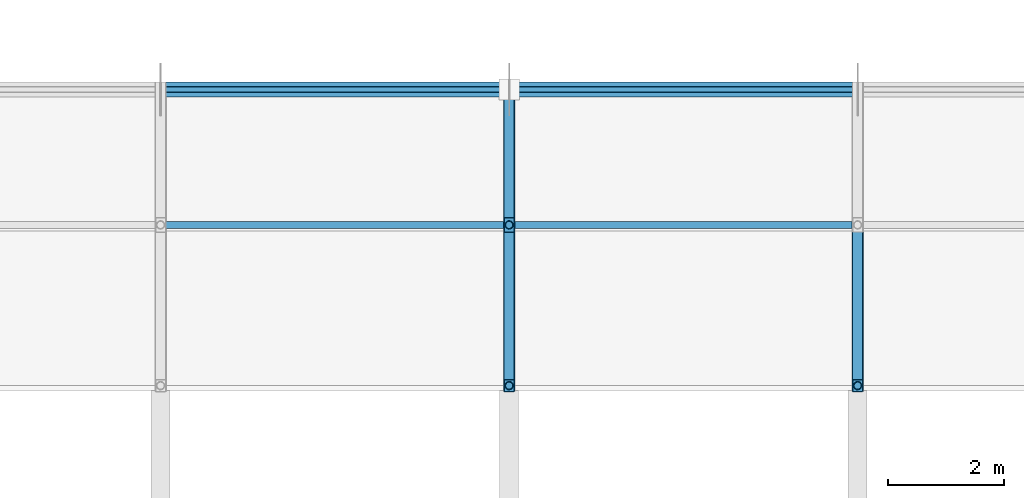
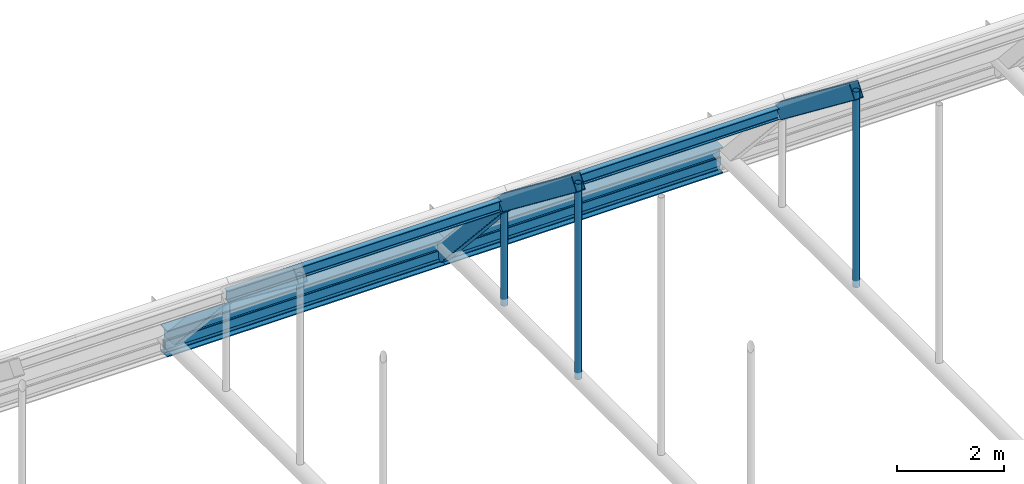
# One storey, part 59 of 116: 7 members, 5 beams.
"""IFC4 building model written with IfcOpenShell, lengths in metres."""

from ifc_helpers import new_model, si_unit, direction, frame, origin, origin_2d, place, context, subcontext, project, spatial, hollow_rectangle, hollow_circle, i_section, extrude, material, material_profile, profile_set, type_object, element, save


model = new_model("IFC4")

# Units and contexts
model_context = context("Model", 3, precision=1e-05, world=origin(), true_north=direction((0.0, 1.0)))
body_context = subcontext(model_context, "Body", "Model", "MODEL_VIEW")
ifc_project = project(units=[si_unit("LENGTHUNIT", "METRE"), si_unit("AREAUNIT", "SQUARE_METRE"), si_unit("VOLUMEUNIT", "CUBIC_METRE"), si_unit("PLANEANGLEUNIT", "RADIAN"), si_unit("MASSUNIT", "GRAM", prefix="KILO")], contexts=[model_context])

# Site, building, storey
site_placement = place(None, origin())
site = spatial("IfcSite", under=ifc_project, at=site_placement, CompositionType="ELEMENT")
building_placement = place(site_placement, origin())
building = spatial("IfcBuilding", under=site, at=building_placement, Name="Varnakota Square Police Headquarters", CompositionType="ELEMENT")
storey_placement = place(building_placement, frame((0.0, 0.0, 9.300048828125)))
storey = spatial("IfcBuildingStorey", under=building, at=storey_placement, Name="L02", CompositionType="ELEMENT", Elevation=9.300048828125)

# Beams
ifc_material = material(Name="Steel IS 2062 Grade 350", Category="steel")
ifc_material_profile_1 = material_profile(ifc_material, i_section(OverallWidth=0.25, OverallDepth=0.60009765625, WebThickness=0.01171875, FlangeThickness=0.023681640625, FilletRadius=0.01708984375, at=origin_2d()), Name="ISWB 600")
ifc_profile_set_1 = profile_set([ifc_material_profile_1], Name="Steel IS 2062 Grade 350")
beam_type_1 = type_object("IfcBeamType", Name="BM-ISWB600", PredefinedType="BEAM", material=ifc_profile_set_1)
for number, where, z_axis, x_axis, name in (
    (1, (66.0, 39.0, -0.300048828125), (1.0, 0.0, 0.0), (0.0, 1.0, 0.0), "Vault V1 north ring beam"),
    (2, (72.0, 39.0, -0.300048828125), (1.0, 0.0, 0.0), (0.0, 1.0, 0.0), "Vault V1 north ring beam"),
):
    element("IfcBeam", number, at=place(storey_placement, frame(where, z_axis=z_axis, x_axis=x_axis)), inside=storey, type_object=beam_type_1, Name=name, PredefinedType="BEAM", context=body_context, shape_type="SweptSolid", body=[
        extrude(i_section(OverallWidth=0.25, OverallDepth=0.60009765625, WebThickness=0.01171875, FlangeThickness=0.023681640625, FilletRadius=0.01708984375, at=origin_2d()), origin(), (0.0, 0.0, 1.0), 6.0),
    ])
ifc_material_profile_2 = material_profile(ifc_material, hollow_rectangle(XDim=0.199951171875, YDim=0.35009765625, WallThickness=0.011962890625, InnerFilletRadius=0.011962890625, OuterFilletRadius=0.02392578125, at=origin_2d()), Name="RHS 350x200x12")
ifc_profile_set_2 = profile_set([ifc_material_profile_2], Name="Steel IS 2062 Grade 350")
beam_type_2 = type_object("IfcBeamType", Name="BM-VR-RHS350", PredefinedType="BEAM", material=ifc_profile_set_2)
beam_1_placement = place(storey_placement, frame((72.0, 33.902099609375, 4.313232421875), z_axis=(0.0, 0.792062306817, -0.610440252703), x_axis=(-1.0, 0.0, 0.0)))
element("IfcBeam", 3, at=beam_1_placement, inside=storey, type_object=beam_type_2, Name="Barrel vault arch rib chord VR-V1-R04-S09", PredefinedType="BEAM", context=body_context, shape_type="SweptSolid", body=[
    extrude(hollow_rectangle(XDim=0.199951171875, YDim=0.35009765625, WallThickness=0.011962890625, InnerFilletRadius=0.011962890625, OuterFilletRadius=0.02392578125, at=origin_2d()), origin(), (0.0, 0.0, 1.0), 3.4921875),
])
beam_2_placement = place(storey_placement, frame((72.0, 36.668212890625, 2.181396484375), z_axis=(0.0, 0.671520631111, -0.740985858159), x_axis=(-1.0, 0.0, 0.0)))
element("IfcBeam", 4, at=beam_2_placement, inside=storey, type_object=beam_type_2, Name="Barrel vault arch rib chord VR-V1-R04-S10", PredefinedType="BEAM", context=body_context, shape_type="SweptSolid", body=[
    extrude(hollow_rectangle(XDim=0.199951171875, YDim=0.35009765625, WallThickness=0.011962890625, InnerFilletRadius=0.011962890625, OuterFilletRadius=0.02392578125, at=origin_2d()), origin(), (0.0, 0.0, 1.0), 3.472412109375),
])
beam_3_placement = place(storey_placement, frame((78.0, 33.902099609375, 4.313232421875), z_axis=(0.0, 0.792062306817, -0.610440252703), x_axis=(-1.0, 0.0, 0.0)))
element("IfcBeam", 5, at=beam_3_placement, inside=storey, type_object=beam_type_2, Name="Barrel vault arch rib chord VR-V1-R05-S09", PredefinedType="BEAM", context=body_context, shape_type="SweptSolid", body=[
    extrude(hollow_rectangle(XDim=0.199951171875, YDim=0.35009765625, WallThickness=0.011962890625, InnerFilletRadius=0.011962890625, OuterFilletRadius=0.02392578125, at=origin_2d()), origin(), (0.0, 0.0, 1.0), 3.4921875),
])

# Members
ifc_material_profile_3 = material_profile(ifc_material, hollow_circle(Radius=0.06982421875, WallThickness=0.006103515625, at=origin_2d()), Name="CHS 139.7x6.0")
ifc_profile_set_3 = profile_set([ifc_material_profile_3], Name="Steel IS 2062 Grade 350")
member_type_1 = type_object("IfcMemberType", Name="MEM-HNG-CHS139", PredefinedType="STRUT", material=ifc_profile_set_3)
member_1_placement = place(storey_placement, frame((72.0, 33.902099609375, -0.150146484375), z_axis=(0.0, 0.0, 1.0), x_axis=(1.0, 0.0, 0.0)))
element("IfcMember", 6, at=member_1_placement, inside=storey, type_object=member_type_1, Name="Barrel vault hanger strut V1-R04-N8", PredefinedType="STRUT", context=body_context, shape_type="SweptSolid", body=[
    extrude(hollow_circle(Radius=0.06982421875, WallThickness=0.006103515625, at=origin_2d()), origin(), (0.0, 0.0, 1.0), 4.46337890625),
])
member_2_placement = place(storey_placement, frame((72.0, 36.668212890625, -0.150146484375), z_axis=(0.0, 0.0, 1.0), x_axis=(1.0, 0.0, 0.0)))
element("IfcMember", 7, at=member_2_placement, inside=storey, type_object=member_type_1, Name="Barrel vault hanger strut V1-R04-N9", PredefinedType="STRUT", context=body_context, shape_type="SweptSolid", body=[
    extrude(hollow_circle(Radius=0.06982421875, WallThickness=0.006103515625, at=origin_2d()), origin(), (0.0, 0.0, 1.0), 2.33154296875),
])
member_3_placement = place(storey_placement, frame((78.0, 33.902099609375, -0.150146484375), z_axis=(0.0, 0.0, 1.0), x_axis=(1.0, 0.0, 0.0)))
element("IfcMember", 8, at=member_3_placement, inside=storey, type_object=member_type_1, Name="Barrel vault hanger strut V1-R05-N8", PredefinedType="STRUT", context=body_context, shape_type="SweptSolid", body=[
    extrude(hollow_circle(Radius=0.06982421875, WallThickness=0.006103515625, at=origin_2d()), origin(), (0.0, 0.0, 1.0), 4.46337890625),
])
ifc_material_profile_4 = material_profile(ifc_material, i_section(OverallWidth=0.125, OverallDepth=0.25, WebThickness=0.0068359375, FlangeThickness=0.012451171875, FilletRadius=0.012939453125, at=origin_2d()), Name="ISMB 250")
ifc_profile_set_4 = profile_set([ifc_material_profile_4], Name="Steel IS 2062 Grade 350")
member_type_2 = type_object("IfcMemberType", Name="MEM-PUR-ISMB250", PredefinedType="PURLIN", material=ifc_profile_set_4)
for number, where, z_axis, x_axis, name in (
    (9, (66.0, 36.668212890625, 2.156494140625), (1.0, 0.0, 0.0), (0.0, 1.0, 0.0), "Vault roof purlin V1-B03-N09"),
    (10, (72.0, 36.668212890625, 2.156494140625), (1.0, 0.0, 0.0), (0.0, 1.0, 0.0), "Vault roof purlin V1-B04-N09"),
):
    element("IfcMember", number, at=place(storey_placement, frame(where, z_axis=z_axis, x_axis=x_axis)), inside=storey, type_object=member_type_2, Name=name, PredefinedType="PURLIN", context=body_context, shape_type="SweptSolid", body=[
        extrude(i_section(OverallWidth=0.125, OverallDepth=0.25, WebThickness=0.0068359375, FlangeThickness=0.012451171875, FilletRadius=0.012939453125, at=origin_2d()), origin(), (0.0, 0.0, 1.0), 6.0),
    ])
ifc_material_profile_5 = material_profile(ifc_material, hollow_rectangle(XDim=0.10009765625, YDim=0.199951171875, WallThickness=0.008056640625, InnerFilletRadius=0.008056640625, OuterFilletRadius=0.01611328125, at=origin_2d()), Name="RHS 200x100x8")
ifc_profile_set_5 = profile_set([ifc_material_profile_5], Name="Steel IS 2062 Grade 350")
member_type_3 = type_object("IfcMemberType", Name="MEM-PUR-RHS200", PredefinedType="PURLIN", material=ifc_profile_set_5)
for number, where, z_axis, x_axis, name in (
    (11, (66.0, 39.0, -0.377685546875), (1.0, 0.0, 0.0), (0.0, 1.0, 0.0), "Vault roof purlin V1-B03-N10"),
    (12, (72.0, 39.0, -0.377685546875), (1.0, 0.0, 0.0), (0.0, 1.0, 0.0), "Vault roof purlin V1-B04-N10"),
):
    element("IfcMember", number, at=place(storey_placement, frame(where, z_axis=z_axis, x_axis=x_axis)), inside=storey, type_object=member_type_3, Name=name, PredefinedType="PURLIN", context=body_context, shape_type="SweptSolid", body=[
        extrude(hollow_rectangle(XDim=0.10009765625, YDim=0.199951171875, WallThickness=0.008056640625, InnerFilletRadius=0.008056640625, OuterFilletRadius=0.01611328125, at=origin_2d()), origin(), (0.0, 0.0, 1.0), 6.0),
    ])

save(model, "model.ifc")
